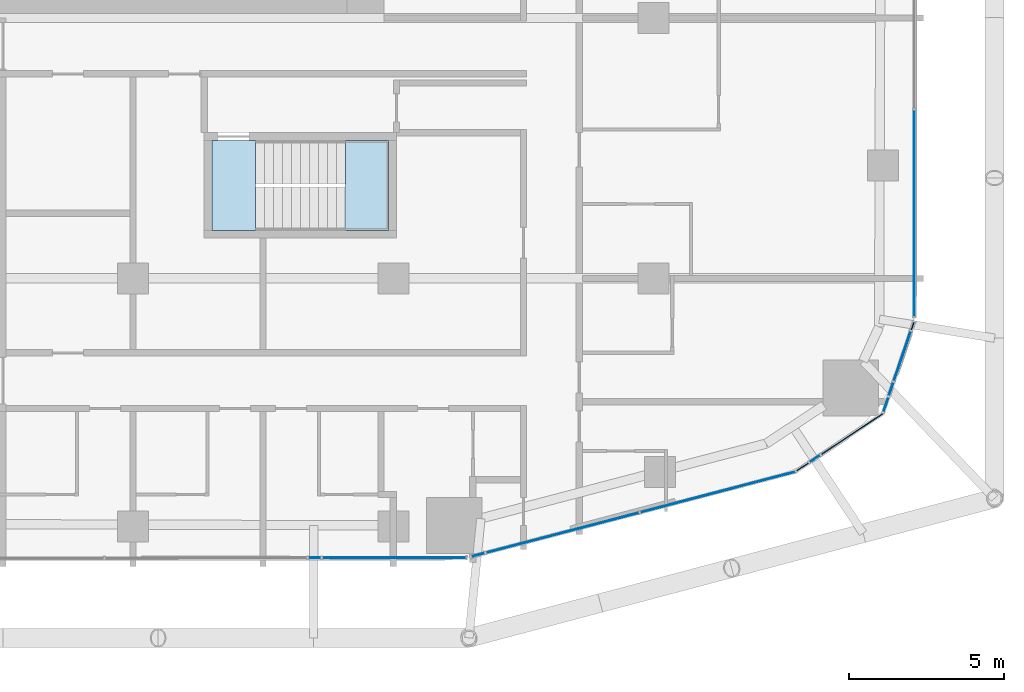
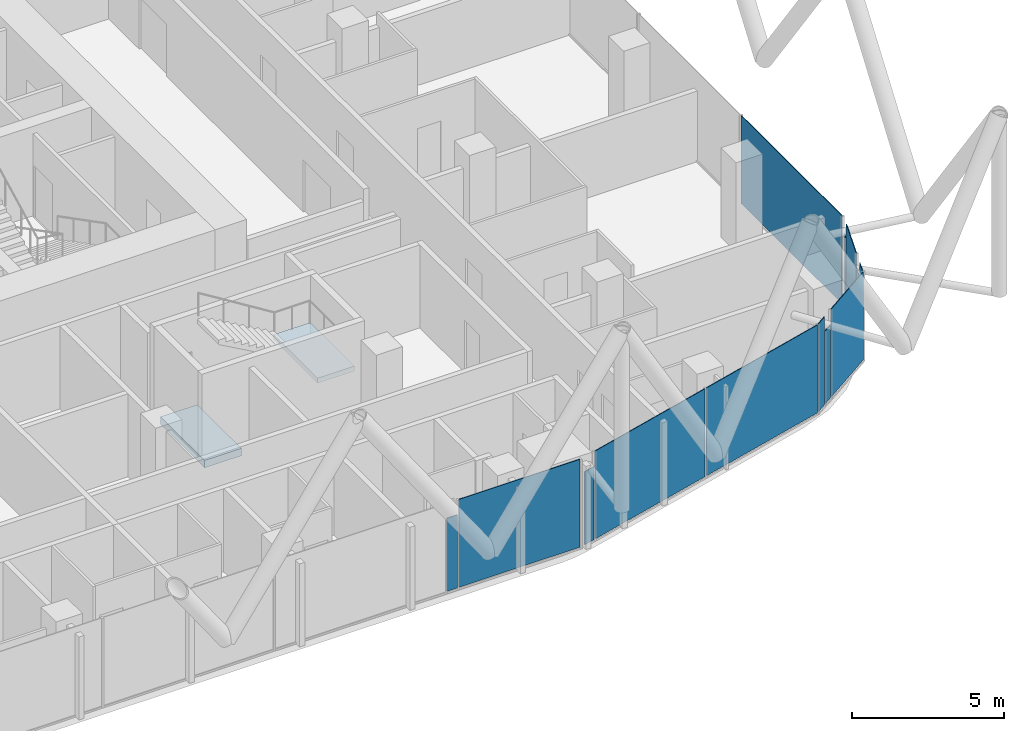
# One storey, part 22 of 38: 13 plates, 2 slabs, 13 elements without a shape of their own.
"""IFC4 building model written with IfcOpenShell, lengths in metres."""

from ifc_helpers import new_model, si_unit, direction, frame, origin, origin_2d, place, context, subcontext, project, spatial, polyline, rectangle, outline, extrude, material, layer, layer_set, type_object, element, aggregate, save


model = new_model("IFC4")

# Units and contexts
model_context = context("Model", 3, precision=1e-05, world=origin(), true_north=direction((0.0, 1.0)))
body_context = subcontext(model_context, "Body", "Model", "MODEL_VIEW")
ifc_project = project(units=[si_unit("LENGTHUNIT", "METRE"), si_unit("AREAUNIT", "SQUARE_METRE"), si_unit("VOLUMEUNIT", "CUBIC_METRE"), si_unit("PLANEANGLEUNIT", "RADIAN"), si_unit("MASSUNIT", "GRAM", prefix="KILO")], contexts=[model_context])

# Site, building, storey
site_placement = place(None, origin())
site = spatial("IfcSite", under=ifc_project, at=site_placement, CompositionType="ELEMENT")
building_placement = place(site_placement, origin())
building = spatial("IfcBuilding", under=site, at=building_placement, Name="Marenta Gate Hotel Tower", CompositionType="ELEMENT")
storey_placement = place(building_placement, frame((0.0, 0.0, 68.89990234375)))
storey = spatial("IfcBuildingStorey", under=building, at=storey_placement, Name="L15", CompositionType="ELEMENT", Elevation=68.89990234375)

# Curtain wall, plate
ifc_material_1 = material(Name="Tinted insulated glass in bronze anodised frame", Category="glass")
ifc_layer_1 = layer(ifc_material_1, 0.1201171875)
ifc_layer_set_1 = layer_set([ifc_layer_1], Name="Tinted insulated glass in bronze anodised frame")
curtain_wall_type = type_object("IfcCurtainWallType", Name="Tower unitised curtain wall CW1", PredefinedType="NOTDEFINED", material=ifc_layer_set_1)
curtain_wall_1_placement = place(storey_placement, origin())
curtain_wall_1 = element("IfcCurtainWall", 1, at=curtain_wall_1_placement, inside=storey, type_object=curtain_wall_type, Name="CW1 run G21", PredefinedType="NOTDEFINED")
ifc_material_2 = material(Name="Tinted insulated glass", Category="glass")
ifc_layer_2 = layer(ifc_material_2, 0.028076171875)
ifc_layer_set_2 = layer_set([ifc_layer_2], Name="Tinted insulated glass")
plate_type = type_object("IfcPlateType", Name="Glass panel CW1 28 mm tinted insulated unit", PredefinedType="CURTAIN_PANEL", material=ifc_layer_set_2)
plate_1_placement = place(storey_placement, frame((10.06298828125, -17.418701171875, 0.060302734375), z_axis=(0.0, 0.0, 1.0), x_axis=(0.999999390865, 0.001103752086, 0.0)))
plate_1 = element("IfcPlate", 2, at=plate_1_placement, type_object=plate_type, Name="CW1 panel 1.1", PredefinedType="CURTAIN_PANEL", context=body_context, shape_type="SweptSolid", body=[
    extrude(rectangle(XDim=0.39306640625, YDim=0.028076171875, at=origin_2d()), origin(), (0.0, 0.0, 1.0), 2.9404296875),
])
aggregate(curtain_wall_1, [plate_1])

curtain_wall_2_placement = place(storey_placement, origin())
curtain_wall_2 = element("IfcCurtainWall", 3, at=curtain_wall_2_placement, inside=storey, type_object=curtain_wall_type, Name="CW1 run G22", PredefinedType="NOTDEFINED")
plate_2_placement = place(storey_placement, frame((12.626708984375, -17.415771484375, 0.06005859375), z_axis=(0.0, 0.0, 1.0), x_axis=(0.99999932513, 0.001161782868, 0.0)))
plate_2 = element("IfcPlate", 4, at=plate_2_placement, type_object=plate_type, Name="CW1 panel 1.1", PredefinedType="CURTAIN_PANEL", context=body_context, shape_type="SweptSolid", body=[
    extrude(rectangle(XDim=4.614013671875, YDim=0.028076171875, at=origin_2d()), origin(), (0.0, 0.0, 1.0), 3.5400390625),
])
aggregate(curtain_wall_2, [plate_2])

curtain_wall_3_placement = place(storey_placement, origin())
curtain_wall_3 = element("IfcCurtainWall", 5, at=curtain_wall_3_placement, inside=storey, type_object=curtain_wall_type, Name="CW1 run G23", PredefinedType="NOTDEFINED")
plate_3_placement = place(storey_placement, frame((15.337158203125, -17.322998046875, 0.060302734375), z_axis=(0.0, 0.0, 1.0), x_axis=(0.967355319897, 0.25342392363, 0.0)))
plate_3 = element("IfcPlate", 6, at=plate_3_placement, type_object=plate_type, Name="CW1 panel 1.1", PredefinedType="CURTAIN_PANEL", context=body_context, shape_type="SweptSolid", body=[
    extrude(rectangle(XDim=0.42333984375, YDim=0.028076171875, at=origin_2d()), origin(), (0.0, 0.0, 1.0), 2.9404296875),
])
aggregate(curtain_wall_3, [plate_3])

# Curtain wall, plates
curtain_wall_4_placement = place(storey_placement, origin())
curtain_wall_4 = element("IfcCurtainWall", 7, at=curtain_wall_4_placement, inside=storey, type_object=curtain_wall_type, Name="CW1 run G24", PredefinedType="NOTDEFINED")
plate_4_placement = place(storey_placement, frame((18.06298828125, -16.609130859375, 0.06005859375), z_axis=(0.0, 0.0, 1.0), x_axis=(0.967371097224, 0.253363691666, 0.0)))
plate_4 = element("IfcPlate", 8, at=plate_4_placement, type_object=plate_type, Name="CW1 panel 1.1", PredefinedType="CURTAIN_PANEL", context=body_context, shape_type="SweptSolid", body=[
    extrude(rectangle(XDim=5.091796875, YDim=0.028076171875, at=origin_2d()), origin(), (0.0, 0.0, 1.0), 3.5400390625),
])
plate_5_placement = place(storey_placement, frame((23.07568359375, -15.296142578125, 0.06005859375), z_axis=(0.0, 0.0, 1.0), x_axis=(0.967371097224, 0.253363691666, 0.0)))
plate_5 = element("IfcPlate", 9, at=plate_5_placement, type_object=plate_type, Name="CW1 panel 2.1", PredefinedType="CURTAIN_PANEL", context=body_context, shape_type="SweptSolid", body=[
    extrude(rectangle(XDim=5.15185546875, YDim=0.028076171875, at=origin_2d()), origin(), (0.0, 0.0, 1.0), 3.5400390625),
])
aggregate(curtain_wall_4, [plate_4, plate_5])

# Curtain wall, plate
curtain_wall_5_placement = place(storey_placement, origin())
curtain_wall_5 = element("IfcCurtainWall", 10, at=curtain_wall_5_placement, inside=storey, type_object=curtain_wall_type, Name="CW1 run G25", PredefinedType="NOTDEFINED")
plate_6_placement = place(storey_placement, frame((25.805419921875, -14.4853515625, 0.06005859375), z_axis=(0.0, 0.0, 1.0), x_axis=(0.83247144448, 0.55406795082, 0.0)))
plate_6 = element("IfcPlate", 11, at=plate_6_placement, type_object=plate_type, Name="CW1 panel 1.1", PredefinedType="CURTAIN_PANEL", context=body_context, shape_type="SweptSolid", body=[
    extrude(rectangle(XDim=0.451171875, YDim=0.028076171875, at=origin_2d()), origin(), (0.0, 0.0, 1.0), 3.5400390625),
])
aggregate(curtain_wall_5, [plate_6])

curtain_wall_6_placement = place(storey_placement, origin())
curtain_wall_6 = element("IfcCurtainWall", 12, at=curtain_wall_6_placement, inside=storey, type_object=curtain_wall_type, Name="CW1 run G26", PredefinedType="NOTDEFINED")
plate_7_placement = place(storey_placement, frame((26.20654296875, -14.21826171875, 0.060302734375), z_axis=(0.0, 0.0, 1.0), x_axis=(0.832559434477, 0.55393572557, 0.0)))
plate_7 = element("IfcPlate", 13, at=plate_7_placement, type_object=plate_type, Name="CW1 panel 1.1", PredefinedType="CURTAIN_PANEL", context=body_context, shape_type="SweptSolid", body=[
    extrude(rectangle(XDim=0.392822265625, YDim=0.028076171875, at=origin_2d()), origin(), (0.0, 0.0, 1.0), 2.9404296875),
])
aggregate(curtain_wall_6, [plate_7])

curtain_wall_7_placement = place(storey_placement, origin())
curtain_wall_7 = element("IfcCurtainWall", 14, at=curtain_wall_7_placement, inside=storey, type_object=curtain_wall_type, Name="CW1 run G27", PredefinedType="NOTDEFINED")
plate_8_placement = place(storey_placement, frame((27.407958984375, -13.418701171875, 0.06005859375), z_axis=(0.0, 0.0, 1.0), x_axis=(0.832486310802, 0.554045613941, 0.0)))
plate_8 = element("IfcPlate", 15, at=plate_8_placement, type_object=plate_type, Name="CW1 panel 1.1", PredefinedType="CURTAIN_PANEL", context=body_context, shape_type="SweptSolid", body=[
    extrude(rectangle(XDim=2.373291015625, YDim=0.028076171875, at=origin_2d()), origin(), (0.0, 0.0, 1.0), 3.5400390625),
])
aggregate(curtain_wall_7, [plate_8])

curtain_wall_8_placement = place(storey_placement, origin())
curtain_wall_8 = element("IfcCurtainWall", 16, at=curtain_wall_8_placement, inside=storey, type_object=curtain_wall_type, Name="CW1 run G28", PredefinedType="NOTDEFINED")
plate_9_placement = place(storey_placement, frame((28.493408203125, -12.474609375, 0.06005859375), z_axis=(0.0, 0.0, 1.0), x_axis=(0.322050601446, 0.946722456746, 0.0)))
plate_9 = element("IfcPlate", 17, at=plate_9_placement, type_object=plate_type, Name="CW1 panel 1.1", PredefinedType="CURTAIN_PANEL", context=body_context, shape_type="SweptSolid", body=[
    extrude(rectangle(XDim=0.485595703125, YDim=0.028076171875, at=origin_2d()), origin(), (0.0, 0.0, 1.0), 3.5400390625),
])
aggregate(curtain_wall_8, [plate_9])

curtain_wall_9_placement = place(storey_placement, origin())
curtain_wall_9 = element("IfcCurtainWall", 18, at=curtain_wall_9_placement, inside=storey, type_object=curtain_wall_type, Name="CW1 run G29", PredefinedType="NOTDEFINED")
plate_10_placement = place(storey_placement, frame((28.663330078125, -11.974853515625, 0.060302734375), z_axis=(0.0, 0.0, 1.0), x_axis=(0.321979977321, 0.946746478316, 0.0)))
plate_10 = element("IfcPlate", 19, at=plate_10_placement, type_object=plate_type, Name="CW1 panel 1.1", PredefinedType="CURTAIN_PANEL", context=body_context, shape_type="SweptSolid", body=[
    extrude(rectangle(XDim=0.45068359375, YDim=0.028076171875, at=origin_2d()), origin(), (0.0, 0.0, 1.0), 2.9404296875),
])
aggregate(curtain_wall_9, [plate_10])

curtain_wall_10_placement = place(storey_placement, origin())
curtain_wall_10 = element("IfcCurtainWall", 20, at=curtain_wall_10_placement, inside=storey, type_object=curtain_wall_type, Name="CW1 run G30", PredefinedType="NOTDEFINED")
plate_11_placement = place(storey_placement, frame((29.025634765625, -10.90966796875, 0.06005859375), z_axis=(0.0, 0.0, 1.0), x_axis=(0.322033613183, 0.946728235546, 0.0)))
plate_11 = element("IfcPlate", 21, at=plate_11_placement, type_object=plate_type, Name="CW1 panel 1.1", PredefinedType="CURTAIN_PANEL", context=body_context, shape_type="SweptSolid", body=[
    extrude(rectangle(XDim=1.6796875, YDim=0.028076171875, at=origin_2d()), origin(), (0.0, 0.0, 1.0), 3.5400390625),
])
aggregate(curtain_wall_10, [plate_11])

curtain_wall_11_placement = place(storey_placement, origin())
curtain_wall_11 = element("IfcCurtainWall", 22, at=curtain_wall_11_placement, inside=storey, type_object=curtain_wall_type, Name="CW1 run G31", PredefinedType="NOTDEFINED")
plate_12_placement = place(storey_placement, frame((29.35498046875, -9.94140625, 0.060302734375), z_axis=(0.0, 0.0, 1.0), x_axis=(0.322039841818, 0.946726116827, 0.0)))
plate_12 = element("IfcPlate", 23, at=plate_12_placement, type_object=plate_type, Name="CW1 panel 1.1", PredefinedType="CURTAIN_PANEL", context=body_context, shape_type="SweptSolid", body=[
    extrude(rectangle(XDim=0.24609375, YDim=0.028076171875, at=origin_2d()), origin(), (0.0, 0.0, 1.0), 2.9404296875),
])
aggregate(curtain_wall_11, [plate_12])

curtain_wall_12_placement = place(storey_placement, origin())
curtain_wall_12 = element("IfcCurtainWall", 24, at=curtain_wall_12_placement, inside=storey, type_object=curtain_wall_type, Name="CW1 run G32", PredefinedType="NOTDEFINED")
plate_13_placement = place(storey_placement, frame((29.4140625, -6.294677734375, 0.06005859375), z_axis=(0.0, 0.0, 1.0), x_axis=(0.0, 1.0, 0.0)))
plate_13 = element("IfcPlate", 25, at=plate_13_placement, type_object=plate_type, Name="CW1 panel 1.1", PredefinedType="CURTAIN_PANEL", context=body_context, shape_type="SweptSolid", body=[
    extrude(rectangle(XDim=6.640625, YDim=0.028076171875, at=origin_2d()), origin(), (0.0, 0.0, 1.0), 3.5400390625),
])
aggregate(curtain_wall_12, [plate_13])

# Stair, slab
ifc_material_3 = material(Name="Concrete C40", Category="concrete")
stair_type = type_object("IfcStairType", Name="Remote exit stair 1400 wide", PredefinedType="HALF_TURN_STAIR", material=ifc_material_3)
stair_placement = place(storey_placement, origin())
stair = element("IfcStair", 26, at=stair_placement, inside=storey, type_object=stair_type, Name="Exit stair RS-Z1-1", PredefinedType="HALF_TURN_STAIR")
ifc_material_4 = material(Name="Concrete C40", Category="concrete")
ifc_layer_3 = layer(ifc_material_4, 0.199951171875)
ifc_layer_set_3 = layer_set([ifc_layer_3], Name="Concrete C40")
slab_type_1 = type_object("IfcSlabType", Name="Remote stair landing 200", PredefinedType="LANDING", material=ifc_layer_set_3)
slab_1_placement = place(storey_placement, frame((0.0, 0.0, 1.60009765625)))
slab_1 = element("IfcSlab", 27, at=slab_1_placement, type_object=slab_type_1, Name="RL-200 RS-Z1-1 landing 1", PredefinedType="LANDING", context=body_context, shape_type="SweptSolid", body=[
    extrude(outline(polyline([(11.050048828125, -6.85009765625), (12.449951171875, -6.85009765625), (12.449951171875, -3.949951171875), (11.050048828125, -3.949951171875), (11.050048828125, -6.85009765625)])), origin(), (0.0, 0.0, 1.0), 0.199951171875),
])
aggregate(stair, [slab_1])

# Slab
ifc_material_5 = material(Name="Concrete C40", Category="concrete")
ifc_layer_4 = layer(ifc_material_5, 0.300048828125)
ifc_layer_set_4 = layer_set([ifc_layer_4], Name="Concrete C40")
slab_type_2 = type_object("IfcSlabType", Name="Stair floor landing slab 300", PredefinedType="FLOOR", material=ifc_layer_set_4)
slab_2_placement = place(storey_placement, frame((0.0, 0.0, -0.2998046875)))
element("IfcSlab", 28, at=slab_2_placement, inside=storey, type_object=slab_type_2, Name="L15-RS-Z1-1-CL", PredefinedType="FLOOR", context=body_context, shape_type="SweptSolid", body=[
    extrude(outline(polyline([(8.14990234375, -6.85009765625), (8.14990234375, -3.949951171875), (6.75, -3.949951171875), (6.75, -6.85009765625), (8.14990234375, -6.85009765625)])), origin(), (0.0, 0.0, 1.0), 0.2998046875),
])

save(model, "model.ifc")
